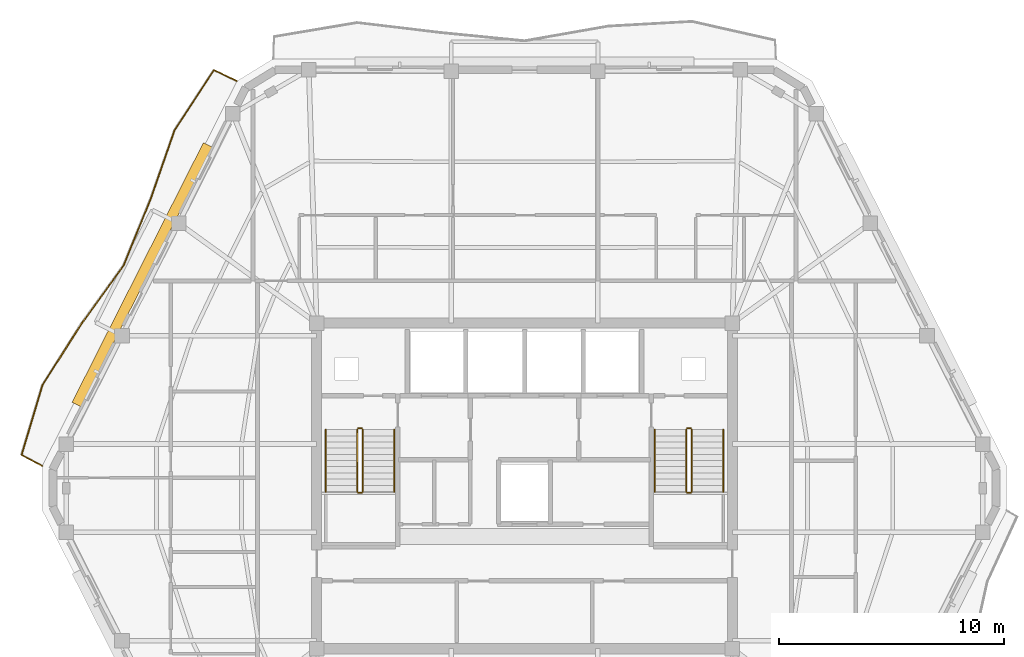
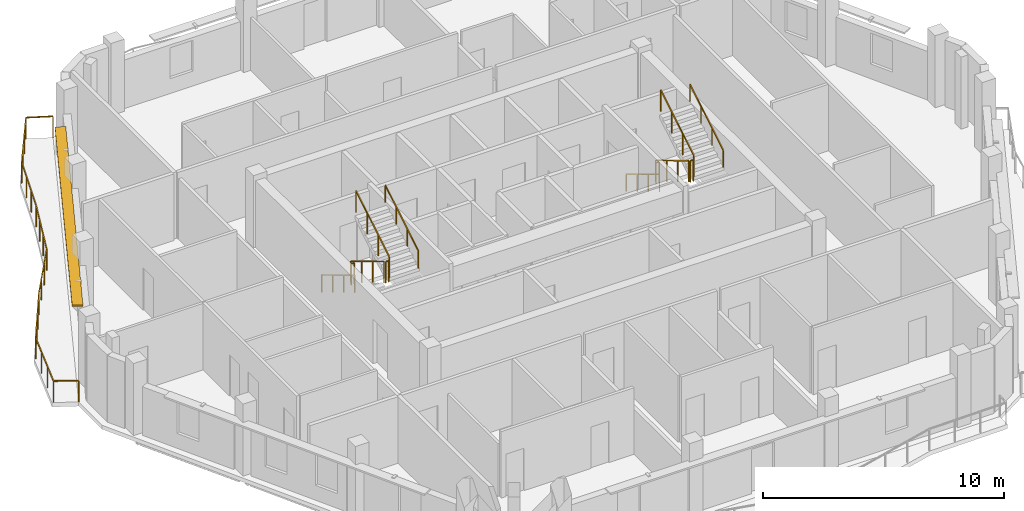
# One storey, part 10 of 11: 13 railings, 1 shading device.
"""IFC4 building model written with IfcOpenShell, lengths in metres."""

from ifc_helpers import new_model, si_unit, direction, frame, origin, origin_2d, place, context, subcontext, project, spatial, rectangle, extrude, material, layer, layer_set, type_object, element, save


model = new_model("IFC4")

# Units and contexts
model_context = context("Model", 3, precision=1e-05, world=origin(), true_north=direction((0.0, 1.0)))
body_context = subcontext(model_context, "Body", "Model", "MODEL_VIEW")
ifc_project = project(units=[si_unit("LENGTHUNIT", "METRE"), si_unit("AREAUNIT", "SQUARE_METRE"), si_unit("VOLUMEUNIT", "CUBIC_METRE"), si_unit("PLANEANGLEUNIT", "RADIAN"), si_unit("MASSUNIT", "GRAM", prefix="KILO")], contexts=[model_context])

# Site, building, storey
site_placement = place(None, origin())
site = spatial("IfcSite", under=ifc_project, at=site_placement, CompositionType="ELEMENT")
building_placement = place(site_placement, origin())
building = spatial("IfcBuilding", under=site, at=building_placement, Name="Cinnabar Lancet Tower", CompositionType="ELEMENT")
storey_placement = place(building_placement, frame((0.0, 0.0, 274.449951171875)))
storey = spatial("IfcBuildingStorey", under=building, at=storey_placement, Name="L73", CompositionType="ELEMENT", Elevation=274.449951171875)

# Railing
ifc_material_1 = material(Name="Laminated safety glass and bronze stainless steel balustrade", Category="steel")
railing_type_1 = type_object("IfcRailingType", Name="ENV-RLG-BAL-1100", PredefinedType="BALUSTRADE", material=ifc_material_1)
railing_1_placement = place(storey_placement, frame((19.638916015625, 43.867919921875, 0.0)))
element("IfcRailing", 1, at=railing_1_placement, inside=storey, type_object=railing_type_1, Name="L73 Face 5 Wave Balcony Balustrade", PredefinedType="BALUSTRADE", context=body_context, shape_type="SweptSolid", body=[
    extrude(rectangle(XDim=0.048095703125, YDim=0.048095703125, at=origin_2d()), frame((0.0, 0.0, 1.076171875), z_axis=(-0.904392266512, 0.426702036875, 0.0), x_axis=(-0.426702036875, -0.904392266512, 0.0)), (0.0, 0.0, 1.0), 1.130126953125),
    extrude(rectangle(XDim=0.048095703125, YDim=0.048095703125, at=origin_2d()), frame((-1.02197265625, 0.482177734375, 1.076171875), z_axis=(-0.547360272754, -0.836897085555, 0.0), x_axis=(0.836897085555, -0.547360272754, 0.0)), (0.0, 0.0, 1.0), 3.20263671875),
    extrude(rectangle(XDim=0.048095703125, YDim=0.048095703125, at=origin_2d()), frame((-2.77490234375, -2.197998046875, 1.076171875), z_axis=(-0.32888337296, -0.944370545385, 0.0), x_axis=(0.944370545385, -0.32888337296, 0.0)), (0.0, 0.0, 1.0), 3.210693359375),
    extrude(rectangle(XDim=0.048095703125, YDim=0.048095703125, at=origin_2d()), frame((-3.830810546875, -5.22998046875, 1.076171875), z_axis=(-0.376081538235, -0.926586572641, 0.0), x_axis=(0.926586572641, -0.376081538235, 0.0)), (0.0, 0.0, 1.0), 3.19140625),
    extrude(rectangle(XDim=0.048095703125, YDim=0.048095703125, at=origin_2d()), frame((-5.031005859375, -8.18701171875, 1.076171875), z_axis=(-0.58571199501, -0.810519252641, 0.0), x_axis=(0.810519252641, -0.58571199501, 0.0)), (0.0, 0.0, 1.0), 3.219970703125),
    extrude(rectangle(XDim=0.048095703125, YDim=0.048095703125, at=origin_2d()), frame((-6.9169921875, -10.796875, 1.076171875), z_axis=(-0.535704054464, -0.844405806488, 0.0), x_axis=(0.844405806488, -0.535704054464, 0.0)), (0.0, 0.0, 1.0), 3.197509765625),
    extrude(rectangle(XDim=0.048095703125, YDim=0.048095703125, at=origin_2d()), frame((-8.6298828125, -13.496826171875, 1.076171875), z_axis=(-0.287458779262, -0.957793010115, 0.0), x_axis=(0.957793010115, -0.287458779262, 0.0)), (0.0, 0.0, 1.0), 3.231689453125),
    extrude(rectangle(XDim=0.048095703125, YDim=0.048095703125, at=origin_2d()), frame((-9.558837890625, -16.592041015625, 1.076171875), z_axis=(0.880418407528, -0.474197667313, 0.0), x_axis=(0.474197667313, 0.880418407528, 0.0)), (0.0, 0.0, 1.0), 1.04150390625),
    extrude(rectangle(XDim=0.0419921875, YDim=0.0419921875, at=origin_2d()), origin(), (0.0, 0.0, 1.0), 1.052001953125),
    extrude(rectangle(XDim=0.0419921875, YDim=0.0419921875, at=origin_2d()), frame((-1.02197265625, 0.482177734375, 0.0)), (0.0, 0.0, 1.0), 1.052001953125),
    extrude(rectangle(XDim=0.0419921875, YDim=0.0419921875, at=origin_2d()), frame((-1.606201171875, -0.4111328125, 0.0)), (0.0, 0.0, 1.0), 1.052001953125),
    extrude(rectangle(XDim=0.0419921875, YDim=0.0419921875, at=origin_2d()), frame((-2.190673828125, -1.3046875, 0.0)), (0.0, 0.0, 1.0), 1.052001953125),
    extrude(rectangle(XDim=0.0419921875, YDim=0.0419921875, at=origin_2d()), frame((-2.77490234375, -2.197998046875, 0.0)), (0.0, 0.0, 1.0), 1.052001953125),
    extrude(rectangle(XDim=0.0419921875, YDim=0.0419921875, at=origin_2d()), frame((-3.126953125, -3.208740234375, 0.0)), (0.0, 0.0, 1.0), 1.052001953125),
    extrude(rectangle(XDim=0.0419921875, YDim=0.0419921875, at=origin_2d()), frame((-3.478759765625, -4.21923828125, 0.0)), (0.0, 0.0, 1.0), 1.052001953125),
    extrude(rectangle(XDim=0.0419921875, YDim=0.0419921875, at=origin_2d()), frame((-3.830810546875, -5.22998046875, 0.0)), (0.0, 0.0, 1.0), 1.052001953125),
    extrude(rectangle(XDim=0.0419921875, YDim=0.0419921875, at=origin_2d()), frame((-4.23095703125, -6.215576171875, 0.0)), (0.0, 0.0, 1.0), 1.052001953125),
    extrude(rectangle(XDim=0.0419921875, YDim=0.0419921875, at=origin_2d()), frame((-4.630859375, -7.201416015625, 0.0)), (0.0, 0.0, 1.0), 1.052001953125),
    extrude(rectangle(XDim=0.0419921875, YDim=0.0419921875, at=origin_2d()), frame((-5.031005859375, -8.18701171875, 0.0)), (0.0, 0.0, 1.0), 1.052001953125),
    extrude(rectangle(XDim=0.0419921875, YDim=0.0419921875, at=origin_2d()), frame((-5.65966796875, -9.056884765625, 0.0)), (0.0, 0.0, 1.0), 1.052001953125),
    extrude(rectangle(XDim=0.0419921875, YDim=0.0419921875, at=origin_2d()), frame((-6.288330078125, -9.927001953125, 0.0)), (0.0, 0.0, 1.0), 1.052001953125),
    extrude(rectangle(XDim=0.0419921875, YDim=0.0419921875, at=origin_2d()), frame((-6.9169921875, -10.796875, 0.0)), (0.0, 0.0, 1.0), 1.052001953125),
    extrude(rectangle(XDim=0.0419921875, YDim=0.0419921875, at=origin_2d()), frame((-7.488037109375, -11.69677734375, 0.0)), (0.0, 0.0, 1.0), 1.052001953125),
    extrude(rectangle(XDim=0.0419921875, YDim=0.0419921875, at=origin_2d()), frame((-8.058837890625, -12.596923828125, 0.0)), (0.0, 0.0, 1.0), 1.052001953125),
    extrude(rectangle(XDim=0.0419921875, YDim=0.0419921875, at=origin_2d()), frame((-8.6298828125, -13.496826171875, 0.0)), (0.0, 0.0, 1.0), 1.052001953125),
    extrude(rectangle(XDim=0.0419921875, YDim=0.0419921875, at=origin_2d()), frame((-8.939453125, -14.528564453125, 0.0)), (0.0, 0.0, 1.0), 1.052001953125),
    extrude(rectangle(XDim=0.0419921875, YDim=0.0419921875, at=origin_2d()), frame((-9.249267578125, -15.560302734375, 0.0)), (0.0, 0.0, 1.0), 1.052001953125),
    extrude(rectangle(XDim=0.0419921875, YDim=0.0419921875, at=origin_2d()), frame((-9.558837890625, -16.592041015625, 0.0)), (0.0, 0.0, 1.0), 1.052001953125),
    extrude(rectangle(XDim=0.0419921875, YDim=0.0419921875, at=origin_2d()), frame((-8.641845703125, -17.0859375, 0.0)), (0.0, 0.0, 1.0), 1.052001953125),
])

# Shading device
ifc_material_2 = material(Name="Pale limestone architectural aluminium sunshade", Category="masonry")
ifc_layer = layer(ifc_material_2, 0.080078125)
ifc_layer_set = layer_set([ifc_layer], Name="Pale limestone architectural aluminium sunshade")
shading_device_type = type_object("IfcShadingDeviceType", Name="ENV-SHD-LVR-450", PredefinedType="JALOUSIE", material=ifc_layer_set)
shading_device_placement = place(storey_placement, frame((15.43603515625, 35.27001953125, 2.639892578125), z_axis=(0.0, 0.0, 1.0), x_axis=(-0.451375984307, -0.89233386173, 0.0)))
element("IfcShadingDevice", 2, at=shading_device_placement, inside=storey, type_object=shading_device_type, Name="L73 Face 5 Horizontal Sunshade Canopy", PredefinedType="JALOUSIE", context=body_context, shape_type="SweptSolid", body=[
    extrude(rectangle(XDim=12.912109375, YDim=0.449951171875, at=origin_2d()), origin(), (0.0, 0.0, 1.0), 0.080078125),
])

# Railings
ifc_material_3 = material(Name="Painted galvanized steel balustrade", Category="steel")
railing_type_2 = type_object("IfcRailingType", Name="GUARD-STAIR", PredefinedType="GUARDRAIL", material=ifc_material_3)
railing_2_placement = place(storey_placement, frame((24.97509765625, 28.39990234375, 0.166015625)))
element("IfcRailing", 3, at=railing_2_placement, inside=storey, type_object=railing_type_2, Name="L73 ST-1 stair guard 1", PredefinedType="GUARDRAIL", context=body_context, shape_type="SweptSolid", body=[
    extrude(rectangle(XDim=0.048095703125, YDim=0.048095703125, at=origin_2d()), frame((0.0, 0.0, 1.076171875), z_axis=(0.0, -0.856263023582, 0.516540060834), x_axis=(1.0, 0.0, 0.0)), (0.0, 0.0, 1.0), 3.211669921875),
    extrude(rectangle(XDim=0.0419921875, YDim=0.0419921875, at=origin_2d()), origin(), (0.0, 0.0, 1.0), 1.052001953125),
    extrude(rectangle(XDim=0.0419921875, YDim=0.0419921875, at=origin_2d()), frame((0.0, -0.916748046875, 0.552978515625)), (0.0, 0.0, 1.0), 1.052001953125),
    extrude(rectangle(XDim=0.0419921875, YDim=0.0419921875, at=origin_2d()), frame((0.0, -1.833251953125, 1.10595703125)), (0.0, 0.0, 1.0), 1.052001953125),
    extrude(rectangle(XDim=0.0419921875, YDim=0.0419921875, at=origin_2d()), frame((0.0, -2.75, 1.658935546875)), (0.0, 0.0, 1.0), 1.052001953125),
])
railing_3_placement = place(storey_placement, frame((25.02490234375, 25.60009765625, 1.824951171875)))
element("IfcRailing", 4, at=railing_3_placement, inside=storey, type_object=railing_type_2, Name="L73 ST-1 stair guard 2", PredefinedType="GUARDRAIL", context=body_context, shape_type="SweptSolid", body=[
    extrude(rectangle(XDim=0.048095703125, YDim=0.048095703125, at=origin_2d()), frame((0.0, 0.0, 1.076171875), z_axis=(1.0, 0.0, 0.0), x_axis=(0.0, 1.0, 0.0)), (0.0, 0.0, 1.0), 0.150146484375),
    extrude(rectangle(XDim=0.0419921875, YDim=0.0419921875, at=origin_2d()), origin(), (0.0, 0.0, 1.0), 1.052001953125),
    extrude(rectangle(XDim=0.0419921875, YDim=0.0419921875, at=origin_2d()), frame((0.150146484375, 0.0, 0.0)), (0.0, 0.0, 1.0), 1.052001953125),
])
railing_4_placement = place(storey_placement, frame((25.22509765625, 25.64990234375, 1.990966796875)))
element("IfcRailing", 5, at=railing_4_placement, inside=storey, type_object=railing_type_2, Name="L73 ST-1 stair guard 3", PredefinedType="GUARDRAIL", context=body_context, shape_type="SweptSolid", body=[
    extrude(rectangle(XDim=0.048095703125, YDim=0.048095703125, at=origin_2d()), frame((0.0, 0.0, 1.076171875), z_axis=(0.0, 0.856229400918, 0.51659579267), x_axis=(-1.0, 0.0, 0.0)), (0.0, 0.0, 1.0), 3.211669921875),
    extrude(rectangle(XDim=0.0419921875, YDim=0.0419921875, at=origin_2d()), origin(), (0.0, 0.0, 1.0), 1.052001953125),
    extrude(rectangle(XDim=0.0419921875, YDim=0.0419921875, at=origin_2d()), frame((0.0, 0.916748046875, 0.552978515625)), (0.0, 0.0, 1.0), 1.052001953125),
    extrude(rectangle(XDim=0.0419921875, YDim=0.0419921875, at=origin_2d()), frame((0.0, 1.833251953125, 1.106201171875)), (0.0, 0.0, 1.0), 1.052001953125),
    extrude(rectangle(XDim=0.0419921875, YDim=0.0419921875, at=origin_2d()), frame((0.0, 2.75, 1.6591796875)), (0.0, 0.0, 1.0), 1.052001953125),
])
railing_5_placement = place(storey_placement, frame((25.02490234375, 28.449951171875, 0.0)))
element("IfcRailing", 6, at=railing_5_placement, inside=storey, type_object=railing_type_2, Name="L73 ST-1 stair guard 4", PredefinedType="GUARDRAIL", context=body_context, shape_type="SweptSolid", body=[
    extrude(rectangle(XDim=0.048095703125, YDim=0.048095703125, at=origin_2d()), frame((0.0, 0.0, 1.076171875), z_axis=(1.0, 0.0, 0.0), x_axis=(0.0, 1.0, 0.0)), (0.0, 0.0, 1.0), 0.150146484375),
    extrude(rectangle(XDim=0.0419921875, YDim=0.0419921875, at=origin_2d()), origin(), (0.0, 0.0, 1.0), 1.052001953125),
    extrude(rectangle(XDim=0.0419921875, YDim=0.0419921875, at=origin_2d()), frame((0.150146484375, 0.0, 0.0)), (0.0, 0.0, 1.0), 1.052001953125),
])
railing_6_placement = place(storey_placement, frame((39.574951171875, 28.39990234375, 0.166015625)))
element("IfcRailing", 7, at=railing_6_placement, inside=storey, type_object=railing_type_2, Name="L73 ST-2 stair guard 1", PredefinedType="GUARDRAIL", context=body_context, shape_type="SweptSolid", body=[
    extrude(rectangle(XDim=0.048095703125, YDim=0.048095703125, at=origin_2d()), frame((0.0, 0.0, 1.076171875), z_axis=(0.0, -0.856263023582, 0.516540060834), x_axis=(1.0, 0.0, 0.0)), (0.0, 0.0, 1.0), 3.211669921875),
    extrude(rectangle(XDim=0.0419921875, YDim=0.0419921875, at=origin_2d()), origin(), (0.0, 0.0, 1.0), 1.052001953125),
    extrude(rectangle(XDim=0.0419921875, YDim=0.0419921875, at=origin_2d()), frame((0.0, -0.916748046875, 0.552978515625)), (0.0, 0.0, 1.0), 1.052001953125),
    extrude(rectangle(XDim=0.0419921875, YDim=0.0419921875, at=origin_2d()), frame((0.0, -1.833251953125, 1.10595703125)), (0.0, 0.0, 1.0), 1.052001953125),
    extrude(rectangle(XDim=0.0419921875, YDim=0.0419921875, at=origin_2d()), frame((0.0, -2.75, 1.658935546875)), (0.0, 0.0, 1.0), 1.052001953125),
])
railing_7_placement = place(storey_placement, frame((39.625, 25.60009765625, 1.824951171875)))
element("IfcRailing", 8, at=railing_7_placement, inside=storey, type_object=railing_type_2, Name="L73 ST-2 stair guard 2", PredefinedType="GUARDRAIL", context=body_context, shape_type="SweptSolid", body=[
    extrude(rectangle(XDim=0.048095703125, YDim=0.048095703125, at=origin_2d()), frame((0.0, 0.0, 1.076171875), z_axis=(1.0, 0.0, 0.0), x_axis=(0.0, 1.0, 0.0)), (0.0, 0.0, 1.0), 0.14990234375),
    extrude(rectangle(XDim=0.0419921875, YDim=0.0419921875, at=origin_2d()), origin(), (0.0, 0.0, 1.0), 1.052001953125),
    extrude(rectangle(XDim=0.0419921875, YDim=0.0419921875, at=origin_2d()), frame((0.14990234375, 0.0, 0.0)), (0.0, 0.0, 1.0), 1.052001953125),
])
railing_8_placement = place(storey_placement, frame((39.824951171875, 25.64990234375, 1.990966796875)))
element("IfcRailing", 9, at=railing_8_placement, inside=storey, type_object=railing_type_2, Name="L73 ST-2 stair guard 3", PredefinedType="GUARDRAIL", context=body_context, shape_type="SweptSolid", body=[
    extrude(rectangle(XDim=0.048095703125, YDim=0.048095703125, at=origin_2d()), frame((0.0, 0.0, 1.076171875), z_axis=(0.0, 0.856229400918, 0.51659579267), x_axis=(-1.0, 0.0, 0.0)), (0.0, 0.0, 1.0), 3.211669921875),
    extrude(rectangle(XDim=0.0419921875, YDim=0.0419921875, at=origin_2d()), origin(), (0.0, 0.0, 1.0), 1.052001953125),
    extrude(rectangle(XDim=0.0419921875, YDim=0.0419921875, at=origin_2d()), frame((0.0, 0.916748046875, 0.552978515625)), (0.0, 0.0, 1.0), 1.052001953125),
    extrude(rectangle(XDim=0.0419921875, YDim=0.0419921875, at=origin_2d()), frame((0.0, 1.833251953125, 1.106201171875)), (0.0, 0.0, 1.0), 1.052001953125),
    extrude(rectangle(XDim=0.0419921875, YDim=0.0419921875, at=origin_2d()), frame((0.0, 2.75, 1.6591796875)), (0.0, 0.0, 1.0), 1.052001953125),
])
railing_9_placement = place(storey_placement, frame((39.625, 28.449951171875, 0.0)))
element("IfcRailing", 10, at=railing_9_placement, inside=storey, type_object=railing_type_2, Name="L73 ST-2 stair guard 4", PredefinedType="GUARDRAIL", context=body_context, shape_type="SweptSolid", body=[
    extrude(rectangle(XDim=0.048095703125, YDim=0.048095703125, at=origin_2d()), frame((0.0, 0.0, 1.076171875), z_axis=(1.0, 0.0, 0.0), x_axis=(0.0, 1.0, 0.0)), (0.0, 0.0, 1.0), 0.14990234375),
    extrude(rectangle(XDim=0.0419921875, YDim=0.0419921875, at=origin_2d()), origin(), (0.0, 0.0, 1.0), 1.052001953125),
    extrude(rectangle(XDim=0.0419921875, YDim=0.0419921875, at=origin_2d()), frame((0.14990234375, 0.0, 0.0)), (0.0, 0.0, 1.0), 1.052001953125),
])
ifc_material_4 = material(Name="Brushed stainless steel handrail", Category="steel")
railing_type_3 = type_object("IfcRailingType", Name="HANDRAIL-STAIR", PredefinedType="HANDRAIL", material=ifc_material_4)
railing_10_placement = place(storey_placement, frame((23.574951171875, 28.39990234375, 0.166015625)))
element("IfcRailing", 11, at=railing_10_placement, inside=storey, type_object=railing_type_3, Name="L73 ST-1 stair handrail 1", PredefinedType="HANDRAIL", context=body_context, shape_type="SweptSolid", body=[
    extrude(rectangle(XDim=0.048095703125, YDim=0.048095703125, at=origin_2d()), frame((0.0, 0.0, 0.8759765625), z_axis=(0.0, -0.856263023582, 0.516540060834), x_axis=(1.0, 0.0, 0.0)), (0.0, 0.0, 1.0), 3.211669921875),
    extrude(rectangle(XDim=0.0419921875, YDim=0.0419921875, at=origin_2d()), origin(), (0.0, 0.0, 1.0), 0.851806640625),
    extrude(rectangle(XDim=0.0419921875, YDim=0.0419921875, at=origin_2d()), frame((0.0, -0.916748046875, 0.552978515625)), (0.0, 0.0, 1.0), 0.851806640625),
    extrude(rectangle(XDim=0.0419921875, YDim=0.0419921875, at=origin_2d()), frame((0.0, -1.833251953125, 1.10595703125)), (0.0, 0.0, 1.0), 0.851806640625),
    extrude(rectangle(XDim=0.0419921875, YDim=0.0419921875, at=origin_2d()), frame((0.0, -2.75, 1.658935546875)), (0.0, 0.0, 1.0), 0.851806640625),
])
railing_11_placement = place(storey_placement, frame((26.625, 25.64990234375, 1.990966796875)))
element("IfcRailing", 12, at=railing_11_placement, inside=storey, type_object=railing_type_3, Name="L73 ST-1 stair handrail 2", PredefinedType="HANDRAIL", context=body_context, shape_type="SweptSolid", body=[
    extrude(rectangle(XDim=0.048095703125, YDim=0.048095703125, at=origin_2d()), frame((0.0, 0.0, 0.8759765625), z_axis=(0.0, 0.856229400918, 0.51659579267), x_axis=(-1.0, 0.0, 0.0)), (0.0, 0.0, 1.0), 3.211669921875),
    extrude(rectangle(XDim=0.0419921875, YDim=0.0419921875, at=origin_2d()), origin(), (0.0, 0.0, 1.0), 0.851806640625),
    extrude(rectangle(XDim=0.0419921875, YDim=0.0419921875, at=origin_2d()), frame((0.0, 0.916748046875, 0.552978515625)), (0.0, 0.0, 1.0), 0.851806640625),
    extrude(rectangle(XDim=0.0419921875, YDim=0.0419921875, at=origin_2d()), frame((0.0, 1.833251953125, 1.106201171875)), (0.0, 0.0, 1.0), 0.851806640625),
    extrude(rectangle(XDim=0.0419921875, YDim=0.0419921875, at=origin_2d()), frame((0.0, 2.75, 1.6591796875)), (0.0, 0.0, 1.0), 0.851806640625),
])
railing_12_placement = place(storey_placement, frame((38.175048828125, 28.39990234375, 0.166015625)))
element("IfcRailing", 13, at=railing_12_placement, inside=storey, type_object=railing_type_3, Name="L73 ST-2 stair handrail 1", PredefinedType="HANDRAIL", context=body_context, shape_type="SweptSolid", body=[
    extrude(rectangle(XDim=0.048095703125, YDim=0.048095703125, at=origin_2d()), frame((0.0, 0.0, 0.8759765625), z_axis=(0.0, -0.856263023582, 0.516540060834), x_axis=(1.0, 0.0, 0.0)), (0.0, 0.0, 1.0), 3.211669921875),
    extrude(rectangle(XDim=0.0419921875, YDim=0.0419921875, at=origin_2d()), origin(), (0.0, 0.0, 1.0), 0.851806640625),
    extrude(rectangle(XDim=0.0419921875, YDim=0.0419921875, at=origin_2d()), frame((0.0, -0.916748046875, 0.552978515625)), (0.0, 0.0, 1.0), 0.851806640625),
    extrude(rectangle(XDim=0.0419921875, YDim=0.0419921875, at=origin_2d()), frame((0.0, -1.833251953125, 1.10595703125)), (0.0, 0.0, 1.0), 0.851806640625),
    extrude(rectangle(XDim=0.0419921875, YDim=0.0419921875, at=origin_2d()), frame((0.0, -2.75, 1.658935546875)), (0.0, 0.0, 1.0), 0.851806640625),
])
railing_13_placement = place(storey_placement, frame((41.22509765625, 25.64990234375, 1.990966796875)))
element("IfcRailing", 14, at=railing_13_placement, inside=storey, type_object=railing_type_3, Name="L73 ST-2 stair handrail 2", PredefinedType="HANDRAIL", context=body_context, shape_type="SweptSolid", body=[
    extrude(rectangle(XDim=0.048095703125, YDim=0.048095703125, at=origin_2d()), frame((0.0, 0.0, 0.8759765625), z_axis=(0.0, 0.856229400918, 0.51659579267), x_axis=(-1.0, 0.0, 0.0)), (0.0, 0.0, 1.0), 3.211669921875),
    extrude(rectangle(XDim=0.0419921875, YDim=0.0419921875, at=origin_2d()), origin(), (0.0, 0.0, 1.0), 0.851806640625),
    extrude(rectangle(XDim=0.0419921875, YDim=0.0419921875, at=origin_2d()), frame((0.0, 0.916748046875, 0.552978515625)), (0.0, 0.0, 1.0), 0.851806640625),
    extrude(rectangle(XDim=0.0419921875, YDim=0.0419921875, at=origin_2d()), frame((0.0, 1.833251953125, 1.106201171875)), (0.0, 0.0, 1.0), 0.851806640625),
    extrude(rectangle(XDim=0.0419921875, YDim=0.0419921875, at=origin_2d()), frame((0.0, 2.75, 1.6591796875)), (0.0, 0.0, 1.0), 0.851806640625),
])

save(model, "model.ifc")
